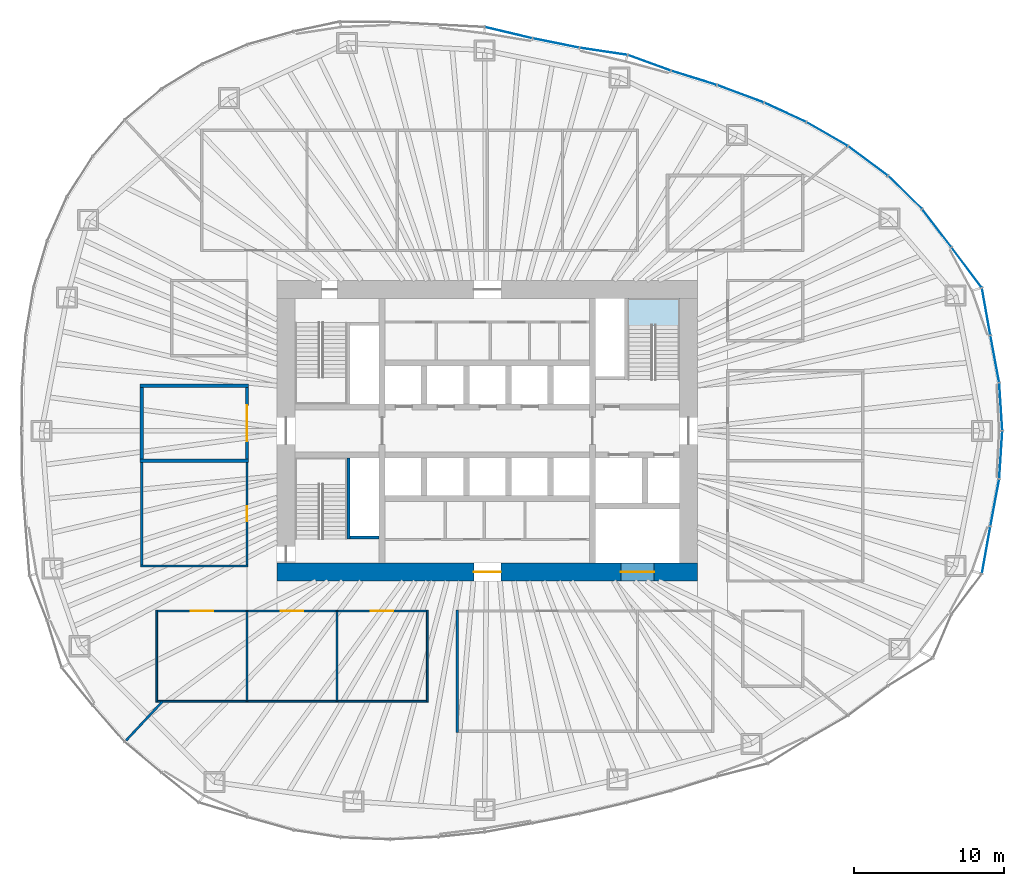
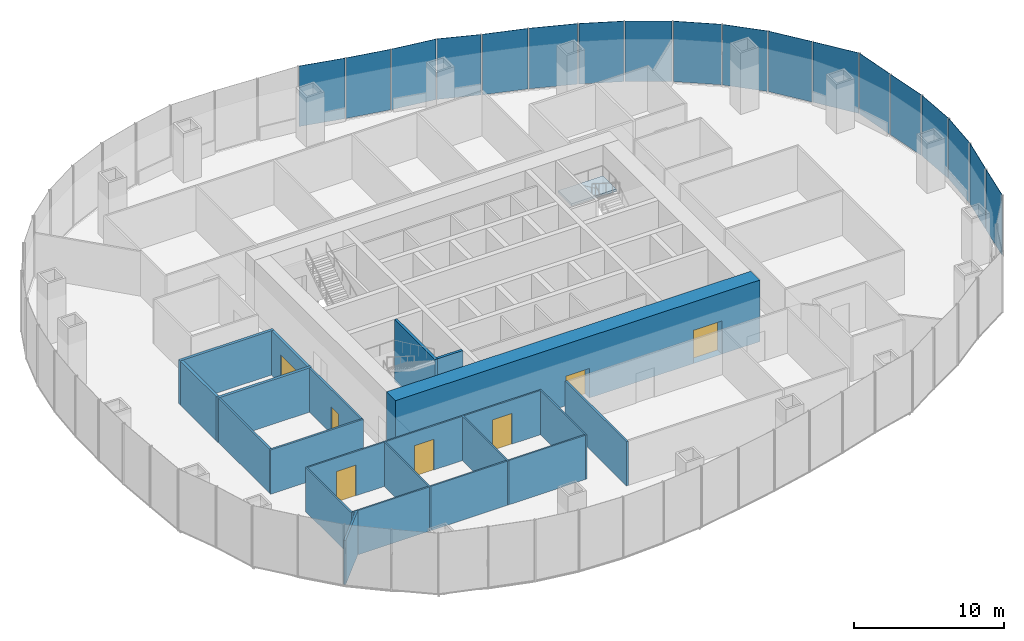
# One storey, part 9 of 18: 22 walls, 18 plates, 7 doors, 1 slab, 7 openings, 7 elements without a shape of their own.
"""IFC4 building model written with IfcOpenShell, lengths in metres."""

from ifc_helpers import new_model, si_unit, direction, frame, frame_2d, origin, origin_2d, place, context, subcontext, project, spatial, polyline, rectangle, outline, extrude, material, layer, layer_set, type_object, element, fill, aggregate, save


model = new_model("IFC4")

# Units and contexts
model_context = context("Model", 3, precision=1e-05, world=origin(), true_north=direction((0.0, 1.0)))
body_context = subcontext(model_context, "Body", "Model", "MODEL_VIEW")
ifc_project = project(units=[si_unit("LENGTHUNIT", "METRE"), si_unit("AREAUNIT", "SQUARE_METRE"), si_unit("VOLUMEUNIT", "CUBIC_METRE"), si_unit("PLANEANGLEUNIT", "RADIAN"), si_unit("MASSUNIT", "GRAM", prefix="KILO")], contexts=[model_context])

# Site, building, storey
site_placement = place(None, origin())
site = spatial("IfcSite", under=ifc_project, at=site_placement, CompositionType="ELEMENT")
building_placement = place(site_placement, origin())
building = spatial("IfcBuilding", under=site, at=building_placement, Name="Ghaith Harvest Tower", CompositionType="ELEMENT")
storey_placement = place(building_placement, frame((0.0, 0.0, 95.0)))
storey = spatial("IfcBuildingStorey", under=building, at=storey_placement, Name="L19", CompositionType="ELEMENT", Elevation=95.0)

# Curtain wall, plates
ifc_material_1 = material(Name="Black anodised aluminium and fritted glass", Category="aluminium")
curtain_wall_type = type_object("IfcCurtainWallType", Name="CW-F CURTAIN WALL", PredefinedType="NOTDEFINED", material=ifc_material_1)
curtain_wall_1_placement = place(storey_placement, origin())
curtain_wall_1 = element("IfcCurtainWall", 1, at=curtain_wall_1_placement, inside=storey, type_object=curtain_wall_type, Name="Curtain wall CW-F bay 01 L19", PredefinedType="NOTDEFINED")
ifc_material_2 = material(Name="Glass, high-transmission fritted double glazed unit", Category="glass")
ifc_layer_1 = layer(ifc_material_2, 0.028076171875)
ifc_layer_set_1 = layer_set([ifc_layer_1], Name="CW-F VISION PANEL")
plate_type = type_object("IfcPlateType", Name="CW-F VISION PANEL", PredefinedType="CURTAIN_PANEL", material=ifc_layer_set_1)
plate_1_placement = place(storey_placement, frame((34.181396484375, 1.602783203125, 0.080078125), z_axis=(0.0, 0.0, 1.0), x_axis=(-0.064445645786, 0.997921218704, 0.0)))
plate_1 = element("IfcPlate", 2, at=plate_1_placement, type_object=plate_type, Name="CW-F panel 1 bay 01 L19", PredefinedType="CURTAIN_PANEL", context=body_context, shape_type="SweptSolid", body=[
    extrude(rectangle(XDim=3.132080078125, YDim=0.028076171875, at=origin_2d()), origin(), (0.0, 0.0, 1.0), 4.919921875),
])
plate_2_placement = place(storey_placement, frame((33.78369140625, 4.78076171875, 0.080078125), z_axis=(0.0, 0.0, 1.0), x_axis=(-0.183569249502, 0.983006780565, 0.0)))
plate_2 = element("IfcPlate", 3, at=plate_2_placement, type_object=plate_type, Name="CW-F panel 2 bay 01 L19", PredefinedType="CURTAIN_PANEL", context=body_context, shape_type="SweptSolid", body=[
    extrude(rectangle(XDim=3.12548828125, YDim=0.028076171875, at=origin_2d()), origin(), (0.0, 0.0, 1.0), 4.919921875),
])
plate_3_placement = place(storey_placement, frame((33.20654296875, 7.93603515625, 0.080078125), z_axis=(0.0, 0.0, 1.0), x_axis=(-0.176319663586, 0.984332960046, 0.0)))
plate_3 = element("IfcPlate", 4, at=plate_3_placement, type_object=plate_type, Name="CW-F panel 3 bay 01 L19", PredefinedType="CURTAIN_PANEL", context=body_context, shape_type="SweptSolid", body=[
    extrude(rectangle(XDim=3.129638671875, YDim=0.028076171875, at=origin_2d()), origin(), (0.0, 0.0, 1.0), 4.919921875),
])
aggregate(curtain_wall_1, [plate_1, plate_2, plate_3])

curtain_wall_2_placement = place(storey_placement, origin())
curtain_wall_2 = element("IfcCurtainWall", 5, at=curtain_wall_2_placement, inside=storey, type_object=curtain_wall_type, Name="Curtain wall CW-F bay 02 L19", PredefinedType="NOTDEFINED")
plate_4_placement = place(storey_placement, frame((31.91015625, 10.865234375, 0.080078125), z_axis=(0.0, 0.0, 1.0), x_axis=(-0.600454091192, 0.799659230154, 0.0)))
plate_4 = element("IfcPlate", 6, at=plate_4_placement, type_object=plate_type, Name="CW-F panel 1 bay 02 L19", PredefinedType="CURTAIN_PANEL", context=body_context, shape_type="SweptSolid", body=[
    extrude(rectangle(XDim=3.295654296875, YDim=0.028076171875, at=origin_2d()), origin(), (0.0, 0.0, 1.0), 4.919921875),
])
plate_5_placement = place(storey_placement, frame((29.921875, 13.4892578125, 0.080078125), z_axis=(0.0, 0.0, 1.0), x_axis=(-0.607611877494, 0.794234100457, 0.0)))
plate_5 = element("IfcPlate", 7, at=plate_5_placement, type_object=plate_type, Name="CW-F panel 2 bay 02 L19", PredefinedType="CURTAIN_PANEL", context=body_context, shape_type="SweptSolid", body=[
    extrude(rectangle(XDim=3.128662109375, YDim=0.028076171875, at=origin_2d()), origin(), (0.0, 0.0, 1.0), 4.919921875),
])
plate_6_placement = place(storey_placement, frame((27.810546875, 15.869384765625, 0.080078125), z_axis=(0.0, 0.0, 1.0), x_axis=(-0.716691335472, 0.69739051446, 0.0)))
plate_6 = element("IfcPlate", 8, at=plate_6_placement, type_object=plate_type, Name="CW-F panel 3 bay 02 L19", PredefinedType="CURTAIN_PANEL", context=body_context, shape_type="SweptSolid", body=[
    extrude(rectangle(XDim=3.092041015625, YDim=0.028076171875, at=origin_2d()), origin(), (0.0, 0.0, 1.0), 4.919921875),
])
aggregate(curtain_wall_2, [plate_4, plate_5, plate_6])

curtain_wall_3_placement = place(storey_placement, origin())
curtain_wall_3 = element("IfcCurtainWall", 9, at=curtain_wall_3_placement, inside=storey, type_object=curtain_wall_type, Name="Curtain wall CW-F bay 03 L19", PredefinedType="NOTDEFINED")
plate_7_placement = place(storey_placement, frame((25.34619140625, 17.96142578125, 0.080078125), z_axis=(0.0, 0.0, 1.0), x_axis=(-0.802866788578, 0.596158468697, 0.0)))
plate_7 = element("IfcPlate", 10, at=plate_7_placement, type_object=plate_type, Name="CW-F panel 1 bay 03 L19", PredefinedType="CURTAIN_PANEL", context=body_context, shape_type="SweptSolid", body=[
    extrude(rectangle(XDim=3.2275390625, YDim=0.028076171875, at=origin_2d()), origin(), (0.0, 0.0, 1.0), 4.919921875),
])
plate_8_placement = place(storey_placement, frame((22.626953125, 19.750244140625, 0.080078125), z_axis=(0.0, 0.0, 1.0), x_axis=(-0.866159208358, 0.499768172033, 0.0)))
plate_8 = element("IfcPlate", 11, at=plate_8_placement, type_object=plate_type, Name="CW-F panel 2 bay 03 L19", PredefinedType="CURTAIN_PANEL", context=body_context, shape_type="SweptSolid", body=[
    extrude(rectangle(XDim=3.1328125, YDim=0.028076171875, at=origin_2d()), origin(), (0.0, 0.0, 1.0), 4.919921875),
])
plate_9_placement = place(storey_placement, frame((19.8291015625, 21.19970703125, 0.080078125), z_axis=(0.0, 0.0, 1.0), x_axis=(-0.908529586897, 0.417820523351, 0.0)))
plate_9 = element("IfcPlate", 12, at=plate_9_placement, type_object=plate_type, Name="CW-F panel 3 bay 03 L19", PredefinedType="CURTAIN_PANEL", context=body_context, shape_type="SweptSolid", body=[
    extrude(rectangle(XDim=3.01611328125, YDim=0.028076171875, at=origin_2d()), origin(), (0.0, 0.0, 1.0), 4.919921875),
])
aggregate(curtain_wall_3, [plate_7, plate_8, plate_9])

curtain_wall_4_placement = place(storey_placement, origin())
curtain_wall_4 = element("IfcCurtainWall", 13, at=curtain_wall_4_placement, inside=storey, type_object=curtain_wall_type, Name="Curtain wall CW-F bay 04 L19", PredefinedType="NOTDEFINED")
plate_10_placement = place(storey_placement, frame((16.85498046875, 22.431396484375, 0.080078125), z_axis=(0.0, 0.0, 1.0), x_axis=(-0.936926487964, 0.349526474178, 0.0)))
plate_10 = element("IfcPlate", 14, at=plate_10_placement, type_object=plate_type, Name="CW-F panel 1 bay 04 L19", PredefinedType="CURTAIN_PANEL", context=body_context, shape_type="SweptSolid", body=[
    extrude(rectangle(XDim=3.26611328125, YDim=0.028076171875, at=origin_2d()), origin(), (0.0, 0.0, 1.0), 4.919921875),
])
plate_11_placement = place(storey_placement, frame((13.760986328125, 23.490234375, 0.080078125), z_axis=(0.0, 0.0, 1.0), x_axis=(-0.954988265421, 0.296643578911, 0.0)))
plate_11 = element("IfcPlate", 15, at=plate_11_placement, type_object=plate_type, Name="CW-F panel 2 bay 04 L19", PredefinedType="CURTAIN_PANEL", context=body_context, shape_type="SweptSolid", body=[
    extrude(rectangle(XDim=3.1171875, YDim=0.028076171875, at=origin_2d()), origin(), (0.0, 0.0, 1.0), 4.919921875),
])
plate_12_placement = place(storey_placement, frame((10.793212890625, 24.490234375, 0.080078125), z_axis=(0.0, 0.0, 1.0), x_axis=(-0.939438435482, 0.342717705902, 0.0)))
plate_12 = element("IfcPlate", 16, at=plate_12_placement, type_object=plate_type, Name="CW-F panel 3 bay 04 L19", PredefinedType="CURTAIN_PANEL", context=body_context, shape_type="SweptSolid", body=[
    extrude(rectangle(XDim=2.98828125, YDim=0.028076171875, at=origin_2d()), origin(), (0.0, 0.0, 1.0), 4.919921875),
])
aggregate(curtain_wall_4, [plate_10, plate_11, plate_12])

curtain_wall_5_placement = place(storey_placement, origin())
curtain_wall_5 = element("IfcCurtainWall", 17, at=curtain_wall_5_placement, inside=storey, type_object=curtain_wall_type, Name="Curtain wall CW-F bay 05 L19", PredefinedType="NOTDEFINED")
plate_13_placement = place(storey_placement, frame((7.744384765625, 25.255615234375, 0.080078125), z_axis=(0.0, 0.0, 1.0), x_axis=(-0.989074249382, 0.147418211935, 0.0)))
plate_13 = element("IfcPlate", 18, at=plate_13_placement, type_object=plate_type, Name="CW-F panel 1 bay 05 L19", PredefinedType="CURTAIN_PANEL", context=body_context, shape_type="SweptSolid", body=[
    extrude(rectangle(XDim=3.17041015625, YDim=0.028076171875, at=origin_2d()), origin(), (0.0, 0.0, 1.0), 4.919921875),
])
plate_14_placement = place(storey_placement, frame((4.5732421875, 25.809326171875, 0.080078125), z_axis=(0.0, 0.0, 1.0), x_axis=(-0.980432348069, 0.196856320344, 0.0)))
plate_14 = element("IfcPlate", 19, at=plate_14_placement, type_object=plate_type, Name="CW-F panel 2 bay 05 L19", PredefinedType="CURTAIN_PANEL", context=body_context, shape_type="SweptSolid", body=[
    extrude(rectangle(XDim=3.1103515625, YDim=0.028076171875, at=origin_2d()), origin(), (0.0, 0.0, 1.0), 4.919921875),
])
plate_15_placement = place(storey_placement, frame((1.41259765625, 26.500244140625, 0.080078125), z_axis=(0.0, 0.0, 1.0), x_axis=(-0.97324595378, 0.229765779545, 0.0)))
plate_15 = element("IfcPlate", 20, at=plate_15_placement, type_object=plate_type, Name="CW-F panel 3 bay 05 L19", PredefinedType="CURTAIN_PANEL", context=body_context, shape_type="SweptSolid", body=[
    extrude(rectangle(XDim=3.200927734375, YDim=0.028076171875, at=origin_2d()), origin(), (0.0, 0.0, 1.0), 4.919921875),
])
aggregate(curtain_wall_5, [plate_13, plate_14, plate_15])

curtain_wall_6_placement = place(storey_placement, origin())
curtain_wall_6 = element("IfcCurtainWall", 21, at=curtain_wall_6_placement, inside=storey, type_object=curtain_wall_type, Name="Curtain wall CW-F bay 20 L19", PredefinedType="NOTDEFINED")
plate_16_placement = place(storey_placement, frame((33.20654296875, -7.93603515625, 0.080078125), z_axis=(0.0, 0.0, 1.0), x_axis=(0.176319663878, 0.984332959994, 0.0)))
plate_16 = element("IfcPlate", 22, at=plate_16_placement, type_object=plate_type, Name="CW-F panel 1 bay 20 L19", PredefinedType="CURTAIN_PANEL", context=body_context, shape_type="SweptSolid", body=[
    extrude(rectangle(XDim=3.129638671875, YDim=0.028076171875, at=origin_2d()), origin(), (0.0, 0.0, 1.0), 4.919921875),
])
plate_17_placement = place(storey_placement, frame((33.78369140625, -4.78076171875, 0.080078125), z_axis=(0.0, 0.0, 1.0), x_axis=(0.183569249777, 0.983006780514, 0.0)))
plate_17 = element("IfcPlate", 23, at=plate_17_placement, type_object=plate_type, Name="CW-F panel 2 bay 20 L19", PredefinedType="CURTAIN_PANEL", context=body_context, shape_type="SweptSolid", body=[
    extrude(rectangle(XDim=3.12548828125, YDim=0.028076171875, at=origin_2d()), origin(), (0.0, 0.0, 1.0), 4.919921875),
])
plate_18_placement = place(storey_placement, frame((34.181396484375, -1.602783203125, 0.080078125), z_axis=(0.0, 0.0, 1.0), x_axis=(0.064445645891, 0.997921218697, 0.0)))
plate_18 = element("IfcPlate", 24, at=plate_18_placement, type_object=plate_type, Name="CW-F panel 3 bay 20 L19", PredefinedType="CURTAIN_PANEL", context=body_context, shape_type="SweptSolid", body=[
    extrude(rectangle(XDim=3.132080078125, YDim=0.028076171875, at=origin_2d()), origin(), (0.0, 0.0, 1.0), 4.919921875),
])
aggregate(curtain_wall_6, [plate_16, plate_17, plate_18])

# Stair, slab
ifc_material_3 = material(Name="Concrete C40/50, precast", Category="concrete")
stair_type = type_object("IfcStairType", Name="CORE STAIR 28R", PredefinedType="HALF_TURN_STAIR", material=ifc_material_3)
stair_placement = place(storey_placement, origin())
stair = element("IfcStair", 25, at=stair_placement, inside=storey, type_object=stair_type, Name="Stair ST2 L19", PredefinedType="HALF_TURN_STAIR")
ifc_material_4 = material(Name="Concrete C40/50, precast", Category="concrete")
ifc_layer_2 = layer(ifc_material_4, 0.179931640625)
ifc_layer_set_2 = layer_set([ifc_layer_2], Name="STAIR LANDING 180")
slab_type = type_object("IfcSlabType", Name="STAIR LANDING 180", PredefinedType="LANDING", material=ifc_layer_set_2)
slab_placement = place(storey_placement, frame((0.0, 0.0, 2.320068359375)))
slab = element("IfcSlab", 26, at=slab_placement, type_object=slab_type, Name="ST2 landing 1", PredefinedType="LANDING", context=body_context, shape_type="SweptSolid", body=[
    extrude(outline(polyline([(12.800048828125, 7.02001953125), (12.800048828125, 8.800048828125), (9.35009765625, 8.800048828125), (9.35009765625, 7.02001953125), (12.800048828125, 7.02001953125)])), origin(), (0.0, 0.0, 1.0), 0.179931640625),
])
aggregate(stair, [slab])

# Walls
ifc_material_5 = material(Name="Concrete blockwork, 1-hour", Category="masonry")
ifc_layer_3 = layer(ifc_material_5, 0.215087890625)
ifc_layer_set_3 = layer_set([ifc_layer_3], Name="BLOCKWORK WALL 215")
wall_type_1 = type_object("IfcWallType", Name="BLOCKWORK WALL 215", PredefinedType="PARTITIONING", material=ifc_layer_set_3)
for number, where, z_axis, x_axis, name in (
    (27, (-15.892578125, -2.0, 0.0), (0.0, 0.0, 1.0), (-1.0, 0.0, 0.0), "Partition L19 row W5 cross wall 2"),
    (28, (-15.892578125, 3.0, 0.0), (0.0, 0.0, 1.0), (-1.0, 0.0, 0.0), "Partition L19 row W5 cross wall 3"),
):
    element("IfcWall", number, at=place(storey_placement, frame(where, z_axis=z_axis, x_axis=x_axis)), inside=storey, type_object=wall_type_1, Name=name, PredefinedType="PARTITIONING", context=body_context, shape_type="SweptSolid", body=[
        extrude(rectangle(XDim=7.21484375, YDim=0.215087890625, at=frame_2d((3.607421875, 0.0))), origin(), (0.0, 0.0, 1.0), 3.60009765625),
    ])

# Wall, opening, door
wall_1_placement = place(storey_placement, frame((-16.0, -1.892578125, 0.0), z_axis=(0.0, 0.0, 1.0), x_axis=(0.0, 1.0, 0.0)))
wall_1 = element("IfcWall", 29, at=wall_1_placement, inside=storey, type_object=wall_type_1, Name="Partition L19-14", PredefinedType="PARTITIONING", context=body_context, shape_type="SweptSolid", body=[
    extrude(rectangle(XDim=4.78515625, YDim=0.215087890625, at=frame_2d((2.392578125, 0.0))), origin(), (0.0, 0.0, 1.0), 3.60009765625),
])
opening_1_placement = place(wall_1_placement, frame((1.1923828125, 0.0, 0.0)))
opening_1 = element("IfcOpeningElement", 30, at=opening_1_placement, cuts=wall_1, Name="Opening 19-039", PredefinedType="OPENING", context=body_context, shape_type="SweptSolid", body=[
    extrude(rectangle(XDim=2.39990234375, YDim=2.39990234375, at=frame_2d((1.199951171875, 1.199951171875))), frame((0.0, 0.11767578125, 0.0), z_axis=(0.0, -1.0, 0.0), x_axis=(1.0, 0.0, 0.0)), (0.0, 0.0, 1.0), 0.235107421875),
])
ifc_material_6 = material(Name="Timber door", Category="wood")
door_type_1 = type_object("IfcDoorType", Name="D10 PLANT PAIR 2400x2400", OperationType="DOUBLE_DOOR_SINGLE_SWING", PredefinedType="DOOR", material=ifc_material_6)
door_1_placement = place(opening_1_placement, origin())
door_1 = element("IfcDoor", 31, at=door_1_placement, inside=storey, type_object=door_type_1, Name="Nutrient tank room door", OperationType="DOUBLE_DOOR_SINGLE_SWING", OverallHeight=2.39990234375, OverallWidth=2.39990234375, PredefinedType="DOOR", context=body_context, shape_type="SweptSolid", body=[
    extrude(rectangle(XDim=2.39990234375, YDim=2.39990234375, at=frame_2d((1.199951171875, 1.199951171875))), frame((0.0, 0.02490234375, 0.0), z_axis=(0.0, -1.0, 0.0), x_axis=(1.0, 0.0, 0.0)), (0.0, 0.0, 1.0), 0.050048828125),
])
fill(opening_1, door_1)

# Wall
wall_2_placement = place(storey_placement, frame((-23.0, -1.892578125, 0.0), z_axis=(0.0, 0.0, 1.0), x_axis=(0.0, 1.0, 0.0)))
element("IfcWall", 32, at=wall_2_placement, inside=storey, type_object=wall_type_1, Name="Partition L19-14", PredefinedType="PARTITIONING", context=body_context, shape_type="SweptSolid", body=[
    extrude(rectangle(XDim=4.78515625, YDim=0.215087890625, at=frame_2d((2.392578125, 0.0))), origin(), (0.0, 0.0, 1.0), 3.60009765625),
])

# Wall, openings, doors
ifc_material_7 = material(Name="Concrete C70/85", Category="concrete")
ifc_layer_4 = layer(ifc_material_7, 1.199951171875)
ifc_layer_set_4 = layer_set([ifc_layer_4], Name="CORE WALL CW1200")
wall_type_2 = type_object("IfcWallType", Name="CORE WALL CW1200", PredefinedType="SHEAR", material=ifc_layer_set_4)
wall_3_placement = place(storey_placement, frame((-14.0, -9.39990234375, 0.0), z_axis=(0.0, 0.0, 1.0), x_axis=(1.0, 0.0, 0.0)))
wall_3 = element("IfcWall", 33, at=wall_3_placement, inside=storey, type_object=wall_type_2, Name="Core wall S L19", PredefinedType="SHEAR", context=body_context, shape_type="SweptSolid", body=[
    extrude(rectangle(XDim=28.0, YDim=1.199951171875, at=frame_2d((14.0, 0.0))), origin(), (0.0, 0.0, 1.0), 5.0),
])
opening_2_placement = place(wall_3_placement, frame((13.10009765625, 0.0, 0.0)))
opening_2 = element("IfcOpeningElement", 34, at=opening_2_placement, cuts=wall_3, Name="Opening 19-018", PredefinedType="OPENING", context=body_context, shape_type="SweptSolid", body=[
    extrude(rectangle(XDim=1.800048828125, YDim=2.39990234375, at=frame_2d((0.89990234375, 1.199951171875))), frame((0.0, 0.60986328125, 0.0), z_axis=(0.0, -1.0, 0.0), x_axis=(1.0, 0.0, 0.0)), (0.0, 0.0, 1.0), 1.219970703125),
])
opening_3_placement = place(wall_3_placement, frame((22.89990234375, 0.0, 0.0)))
opening_3 = element("IfcOpeningElement", 35, at=opening_3_placement, cuts=wall_3, Name="Opening 19-025", PredefinedType="OPENING", context=body_context, shape_type="SweptSolid", body=[
    extrude(rectangle(XDim=2.199951171875, YDim=2.699951171875, at=frame_2d((1.10009765625, 1.35009765625))), frame((0.0, 0.60986328125, 0.0), z_axis=(0.0, -1.0, 0.0), x_axis=(1.0, 0.0, 0.0)), (0.0, 0.0, 1.0), 1.219970703125),
])
ifc_material_8 = material(Name="Steel fire door", Category="steel")
door_type_2 = type_object("IfcDoorType", Name="D4 FD90 PAIR 1800x2400", OperationType="DOUBLE_DOOR_SINGLE_SWING", PredefinedType="DOOR", material=ifc_material_8)
door_2_placement = place(opening_2_placement, origin())
door_2 = element("IfcDoor", 36, at=door_2_placement, inside=storey, type_object=door_type_2, Name="Core service corridor doors", OperationType="DOUBLE_DOOR_SINGLE_SWING", OverallHeight=2.39990234375, OverallWidth=1.800048828125, PredefinedType="DOOR", context=body_context, shape_type="SweptSolid", body=[
    extrude(rectangle(XDim=1.800048828125, YDim=2.39990234375, at=frame_2d((0.89990234375, 1.199951171875))), frame((0.0, 0.02490234375, 0.0), z_axis=(0.0, -1.0, 0.0), x_axis=(1.0, 0.0, 0.0)), (0.0, 0.0, 1.0), 0.050048828125),
])
fill(opening_2, door_2)
ifc_material_9 = material(Name="Steel fire door", Category="steel")
door_type_3 = type_object("IfcDoorType", Name="LD3 LANDING 2200x2700", OperationType="DOUBLE_DOOR_SLIDING", PredefinedType="DOOR", material=ifc_material_9)
door_3_placement = place(opening_3_placement, origin())
door_3 = element("IfcDoor", 37, at=door_3_placement, inside=storey, type_object=door_type_3, Name="Landing door, goods lift GL1", OperationType="DOUBLE_DOOR_SLIDING", OverallHeight=2.699951171875, OverallWidth=2.199951171875, PredefinedType="DOOR", context=body_context, shape_type="SweptSolid", body=[
    extrude(rectangle(XDim=2.199951171875, YDim=2.699951171875, at=frame_2d((1.10009765625, 1.35009765625))), frame((0.0, 0.02490234375, 0.0), z_axis=(0.0, -1.0, 0.0), x_axis=(1.0, 0.0, 0.0)), (0.0, 0.0, 1.0), 0.050048828125),
])
fill(opening_3, door_3)

# Walls
ifc_material_10 = material(Name="Insulated food-grade panel", Category="steel")
ifc_layer_5 = layer(ifc_material_10, 0.1201171875)
ifc_layer_set_5 = layer_set([ifc_layer_5], Name="INSULATED PANEL WALL 120")
wall_type_3 = type_object("IfcWallType", Name="INSULATED PANEL WALL 120", PredefinedType="PARTITIONING", material=ifc_layer_set_5)
for number, where, z_axis, x_axis, name in (
    (38, (-22.0, -11.93994140625, 0.0), (0.0, 0.0, 1.0), (0.0, -1.0, 0.0), "Partition L19 row S2 cross wall 1"),
    (39, (-16.0, -11.93994140625, 0.0), (0.0, 0.0, 1.0), (0.0, -1.0, 0.0), "Partition L19 row S2 cross wall 2"),
    (40, (-10.0, -11.93994140625, 0.0), (0.0, 0.0, 1.0), (0.0, -1.0, 0.0), "Partition L19 row S2 cross wall 3"),
    (41, (-4.0, -11.93994140625, 0.0), (0.0, 0.0, 1.0), (0.0, -1.0, 0.0), "Partition L19 row S2 cross wall 4"),
):
    element("IfcWall", number, at=place(storey_placement, frame(where, z_axis=z_axis, x_axis=x_axis)), inside=storey, type_object=wall_type_3, Name=name, PredefinedType="PARTITIONING", context=body_context, shape_type="SweptSolid", body=[
        extrude(rectangle(XDim=6.1201171875, YDim=0.1201171875, at=frame_2d((3.06005859375, 0.0))), origin(), (0.0, 0.0, 1.0), 3.60009765625),
    ])

# Wall, opening, door
wall_4_placement = place(storey_placement, frame((-21.93994140625, -12.0, 0.0), z_axis=(0.0, 0.0, 1.0), x_axis=(1.0, 0.0, 0.0)))
wall_4 = element("IfcWall", 42, at=wall_4_placement, inside=storey, type_object=wall_type_3, Name="Partition L19-03", PredefinedType="PARTITIONING", context=body_context, shape_type="SweptSolid", body=[
    extrude(rectangle(XDim=5.8798828125, YDim=0.1201171875, at=frame_2d((2.93994140625, 0.0))), origin(), (0.0, 0.0, 1.0), 3.60009765625),
])
opening_4_placement = place(wall_4_placement, frame((2.18994140625, 0.0, 0.0)))
opening_4 = element("IfcOpeningElement", 43, at=opening_4_placement, cuts=wall_4, Name="Opening 19-028", PredefinedType="OPENING", context=body_context, shape_type="SweptSolid", body=[
    extrude(rectangle(XDim=1.5, YDim=2.5, at=frame_2d((0.75, 1.25))), frame((0.0, 0.070068359375, 0.0), z_axis=(0.0, -1.0, 0.0), x_axis=(1.0, 0.0, 0.0)), (0.0, 0.0, 1.0), 0.14013671875),
])
ifc_material_11 = material(Name="Insulated steel sliding door", Category="steel")
door_type_4 = type_object("IfcDoorType", Name="D13 COLD STORE SLIDING 1500x2500", OperationType="SLIDING_TO_LEFT", PredefinedType="DOOR", material=ifc_material_11)
door_4_placement = place(opening_4_placement, origin())
door_4 = element("IfcDoor", 44, at=door_4_placement, inside=storey, type_object=door_type_4, Name="Cold store door", OperationType="SLIDING_TO_LEFT", OverallHeight=2.5, OverallWidth=1.5, PredefinedType="DOOR", context=body_context, shape_type="SweptSolid", body=[
    extrude(rectangle(XDim=1.5, YDim=2.5, at=frame_2d((0.75, 1.25))), frame((0.0, 0.02490234375, 0.0), z_axis=(0.0, -1.0, 0.0), x_axis=(1.0, 0.0, 0.0)), (0.0, 0.0, 1.0), 0.050048828125),
])
fill(opening_4, door_4)

# Wall
wall_5_placement = place(storey_placement, frame((-21.93994140625, -18.0, 0.0), z_axis=(0.0, 0.0, 1.0), x_axis=(1.0, 0.0, 0.0)))
element("IfcWall", 45, at=wall_5_placement, inside=storey, type_object=wall_type_3, Name="Partition L19-03", PredefinedType="PARTITIONING", context=body_context, shape_type="SweptSolid", body=[
    extrude(rectangle(XDim=5.8798828125, YDim=0.1201171875, at=frame_2d((2.93994140625, 0.0))), origin(), (0.0, 0.0, 1.0), 3.60009765625),
])

# Wall, opening, door
wall_6_placement = place(storey_placement, frame((-15.93994140625, -12.0, 0.0), z_axis=(0.0, 0.0, 1.0), x_axis=(1.0, 0.0, 0.0)))
wall_6 = element("IfcWall", 46, at=wall_6_placement, inside=storey, type_object=wall_type_3, Name="Partition L19-04", PredefinedType="PARTITIONING", context=body_context, shape_type="SweptSolid", body=[
    extrude(rectangle(XDim=5.8798828125, YDim=0.1201171875, at=frame_2d((2.93994140625, 0.0))), origin(), (0.0, 0.0, 1.0), 3.60009765625),
])
opening_5_placement = place(wall_6_placement, frame((2.18994140625, 0.0, 0.0)))
opening_5 = element("IfcOpeningElement", 47, at=opening_5_placement, cuts=wall_6, Name="Opening 19-029", PredefinedType="OPENING", context=body_context, shape_type="SweptSolid", body=[
    extrude(rectangle(XDim=1.5, YDim=2.5, at=frame_2d((0.75, 1.25))), frame((0.0, 0.070068359375, 0.0), z_axis=(0.0, -1.0, 0.0), x_axis=(1.0, 0.0, 0.0)), (0.0, 0.0, 1.0), 0.14013671875),
])
door_5_placement = place(opening_5_placement, origin())
door_5 = element("IfcDoor", 48, at=door_5_placement, inside=storey, type_object=door_type_4, Name="Cold store door", OperationType="SLIDING_TO_LEFT", OverallHeight=2.5, OverallWidth=1.5, PredefinedType="DOOR", context=body_context, shape_type="SweptSolid", body=[
    extrude(rectangle(XDim=1.5, YDim=2.5, at=frame_2d((0.75, 1.25))), frame((0.0, 0.02490234375, 0.0), z_axis=(0.0, -1.0, 0.0), x_axis=(1.0, 0.0, 0.0)), (0.0, 0.0, 1.0), 0.050048828125),
])
fill(opening_5, door_5)

# Wall
wall_7_placement = place(storey_placement, frame((-15.93994140625, -18.0, 0.0), z_axis=(0.0, 0.0, 1.0), x_axis=(1.0, 0.0, 0.0)))
element("IfcWall", 49, at=wall_7_placement, inside=storey, type_object=wall_type_3, Name="Partition L19-04", PredefinedType="PARTITIONING", context=body_context, shape_type="SweptSolid", body=[
    extrude(rectangle(XDim=5.8798828125, YDim=0.1201171875, at=frame_2d((2.93994140625, 0.0))), origin(), (0.0, 0.0, 1.0), 3.60009765625),
])

# Wall, opening, door
wall_8_placement = place(storey_placement, frame((-9.93994140625, -12.0, 0.0), z_axis=(0.0, 0.0, 1.0), x_axis=(1.0, 0.0, 0.0)))
wall_8 = element("IfcWall", 50, at=wall_8_placement, inside=storey, type_object=wall_type_3, Name="Partition L19-05", PredefinedType="PARTITIONING", context=body_context, shape_type="SweptSolid", body=[
    extrude(rectangle(XDim=5.8798828125, YDim=0.1201171875, at=frame_2d((2.93994140625, 0.0))), origin(), (0.0, 0.0, 1.0), 3.60009765625),
])
opening_6_placement = place(wall_8_placement, frame((2.18994140625, 0.0, 0.0)))
opening_6 = element("IfcOpeningElement", 51, at=opening_6_placement, cuts=wall_8, Name="Opening 19-030", PredefinedType="OPENING", context=body_context, shape_type="SweptSolid", body=[
    extrude(rectangle(XDim=1.5, YDim=2.5, at=frame_2d((0.75, 1.25))), frame((0.0, 0.070068359375, 0.0), z_axis=(0.0, -1.0, 0.0), x_axis=(1.0, 0.0, 0.0)), (0.0, 0.0, 1.0), 0.14013671875),
])
door_6_placement = place(opening_6_placement, origin())
door_6 = element("IfcDoor", 52, at=door_6_placement, inside=storey, type_object=door_type_4, Name="Cold store door", OperationType="SLIDING_TO_LEFT", OverallHeight=2.5, OverallWidth=1.5, PredefinedType="DOOR", context=body_context, shape_type="SweptSolid", body=[
    extrude(rectangle(XDim=1.5, YDim=2.5, at=frame_2d((0.75, 1.25))), frame((0.0, 0.02490234375, 0.0), z_axis=(0.0, -1.0, 0.0), x_axis=(1.0, 0.0, 0.0)), (0.0, 0.0, 1.0), 0.050048828125),
])
fill(opening_6, door_6)

# Walls
wall_9_placement = place(storey_placement, frame((-9.93994140625, -18.0, 0.0), z_axis=(0.0, 0.0, 1.0), x_axis=(1.0, 0.0, 0.0)))
element("IfcWall", 53, at=wall_9_placement, inside=storey, type_object=wall_type_3, Name="Partition L19-05", PredefinedType="PARTITIONING", context=body_context, shape_type="SweptSolid", body=[
    extrude(rectangle(XDim=5.8798828125, YDim=0.1201171875, at=frame_2d((2.93994140625, 0.0))), origin(), (0.0, 0.0, 1.0), 3.60009765625),
])
ifc_material_12 = material(Name="Gypsum board on steel studs", Category="steel")
ifc_layer_6 = layer(ifc_material_12, 0.14990234375)
ifc_layer_set_6 = layer_set([ifc_layer_6], Name="PARTITION 150")
wall_type_4 = type_object("IfcWallType", Name="PARTITION 150", PredefinedType="PARTITIONING", material=ifc_layer_set_6)
wall_10_placement = place(storey_placement, frame((-2.0, -11.925048828125, 0.0), z_axis=(0.0, 0.0, 1.0), x_axis=(0.0, -1.0, 0.0)))
element("IfcWall", 54, at=wall_10_placement, inside=storey, type_object=wall_type_4, Name="Partition L19 row S1 cross wall 1", PredefinedType="PARTITIONING", context=body_context, shape_type="SweptSolid", body=[
    extrude(rectangle(XDim=8.14990234375, YDim=0.14990234375, at=frame_2d((4.074951171875, 0.0))), origin(), (0.0, 0.0, 1.0), 3.60009765625),
])
wall_11_placement = place(storey_placement, frame((-15.925048828125, -9.0, 0.0), z_axis=(0.0, 0.0, 1.0), x_axis=(-1.0, 0.0, 0.0)))
element("IfcWall", 55, at=wall_11_placement, inside=storey, type_object=wall_type_4, Name="Partition L19 row W5 cross wall 1", PredefinedType="PARTITIONING", context=body_context, shape_type="SweptSolid", body=[
    extrude(rectangle(XDim=7.14990234375, YDim=0.14990234375, at=frame_2d((3.574951171875, 0.0))), origin(), (0.0, 0.0, 1.0), 3.60009765625),
])

# Wall, opening, door
wall_12_placement = place(storey_placement, frame((-16.0, -8.925048828125, 0.0), z_axis=(0.0, 0.0, 1.0), x_axis=(0.0, 1.0, 0.0)))
wall_12 = element("IfcWall", 56, at=wall_12_placement, inside=storey, type_object=wall_type_4, Name="Partition L19-13", PredefinedType="PARTITIONING", context=body_context, shape_type="SweptSolid", body=[
    extrude(rectangle(XDim=6.817626953125, YDim=0.14990234375, at=frame_2d((3.40869140625, 0.0))), origin(), (0.0, 0.0, 1.0), 3.60009765625),
])
opening_7_placement = place(wall_12_placement, frame((2.90869140625, 0.0, 0.0)))
opening_7 = element("IfcOpeningElement", 57, at=opening_7_placement, cuts=wall_12, Name="Opening 19-038", PredefinedType="OPENING", context=body_context, shape_type="SweptSolid", body=[
    extrude(rectangle(XDim=1.0, YDim=2.199951171875, at=frame_2d((0.5, 1.10009765625))), frame((0.0, 0.0849609375, 0.0), z_axis=(0.0, -1.0, 0.0), x_axis=(1.0, 0.0, 0.0)), (0.0, 0.0, 1.0), 0.169921875),
])
ifc_material_13 = material(Name="Timber door", Category="wood")
door_type_5 = type_object("IfcDoorType", Name="D1 SINGLE 1000x2200", OperationType="SINGLE_SWING_LEFT", PredefinedType="DOOR", material=ifc_material_13)
door_7_placement = place(opening_7_placement, origin())
door_7 = element("IfcDoor", 58, at=door_7_placement, inside=storey, type_object=door_type_5, Name="Packaging store door", OperationType="SINGLE_SWING_LEFT", OverallHeight=2.199951171875, OverallWidth=1.0, PredefinedType="DOOR", context=body_context, shape_type="SweptSolid", body=[
    extrude(rectangle(XDim=1.0, YDim=2.199951171875, at=frame_2d((0.5, 1.10009765625))), frame((0.0, 0.02490234375, 0.0), z_axis=(0.0, -1.0, 0.0), x_axis=(1.0, 0.0, 0.0)), (0.0, 0.0, 1.0), 0.050048828125),
])
fill(opening_7, door_7)

# Walls
wall_13_placement = place(storey_placement, frame((-23.0, -8.925048828125, 0.0), z_axis=(0.0, 0.0, 1.0), x_axis=(0.0, 1.0, 0.0)))
element("IfcWall", 59, at=wall_13_placement, inside=storey, type_object=wall_type_4, Name="Partition L19-13", PredefinedType="PARTITIONING", context=body_context, shape_type="SweptSolid", body=[
    extrude(rectangle(XDim=6.817626953125, YDim=0.14990234375, at=frame_2d((3.40869140625, 0.0))), origin(), (0.0, 0.0, 1.0), 3.60009765625),
])
wall_14_placement = place(storey_placement, frame((-21.621826171875, -18.02001953125, 0.0), z_axis=(0.0, 0.0, 1.0), x_axis=(-0.682522451791, -0.730864626864, 0.0)))
element("IfcWall", 60, at=wall_14_placement, inside=storey, type_object=wall_type_4, Name="Partition L19 zone division", PredefinedType="PARTITIONING", context=body_context, shape_type="SweptSolid", body=[
    extrude(rectangle(XDim=3.53515625, YDim=0.14990234375, at=frame_2d((1.767578125, 0.0))), origin(), (0.0, 0.0, 1.0), 3.60009765625),
])
ifc_material_14 = material(Name="Concrete C40/50", Category="concrete")
ifc_layer_7 = layer(ifc_material_14, 0.199951171875)
ifc_layer_set_7 = layer_set([ifc_layer_7], Name="STAIR SPINE WALL RC200")
wall_type_5 = type_object("IfcWallType", Name="STAIR SPINE WALL RC200", PredefinedType="SOLIDWALL", material=ifc_layer_set_7)
wall_15_placement = place(storey_placement, frame((-9.25, -7.199951171875, 0.0), z_axis=(0.0, 0.0, 1.0), x_axis=(0.0, 1.0, 0.0)))
element("IfcWall", 61, at=wall_15_placement, inside=storey, type_object=wall_type_5, Name="Stair ST3 spine wall L19", PredefinedType="SOLIDWALL", context=body_context, shape_type="SweptSolid", body=[
    extrude(rectangle(XDim=5.39990234375, YDim=0.199951171875, at=frame_2d((2.699951171875, 0.0))), origin(), (0.0, 0.0, 1.0), 5.0),
])
wall_16_placement = place(storey_placement, frame((-9.14990234375, -7.10009765625, 0.0), z_axis=(0.0, 0.0, 1.0), x_axis=(1.0, 0.0, 0.0)))
element("IfcWall", 62, at=wall_16_placement, inside=storey, type_object=wall_type_5, Name="Stair ST3 spine wall return L19", PredefinedType="SOLIDWALL", context=body_context, shape_type="SweptSolid", body=[
    extrude(rectangle(XDim=1.949951171875, YDim=0.199951171875, at=frame_2d((0.97509765625, 0.0))), origin(), (0.0, 0.0, 1.0), 5.0),
])

save(model, "model.ifc")
